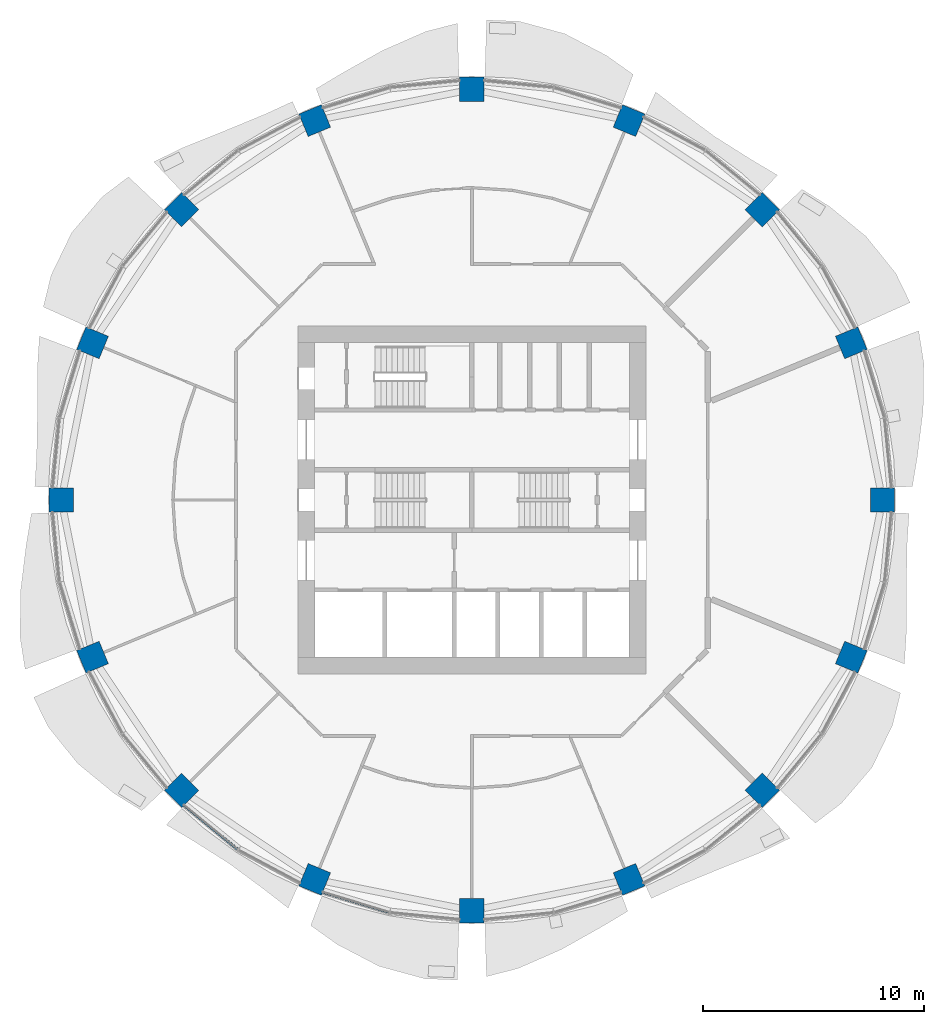
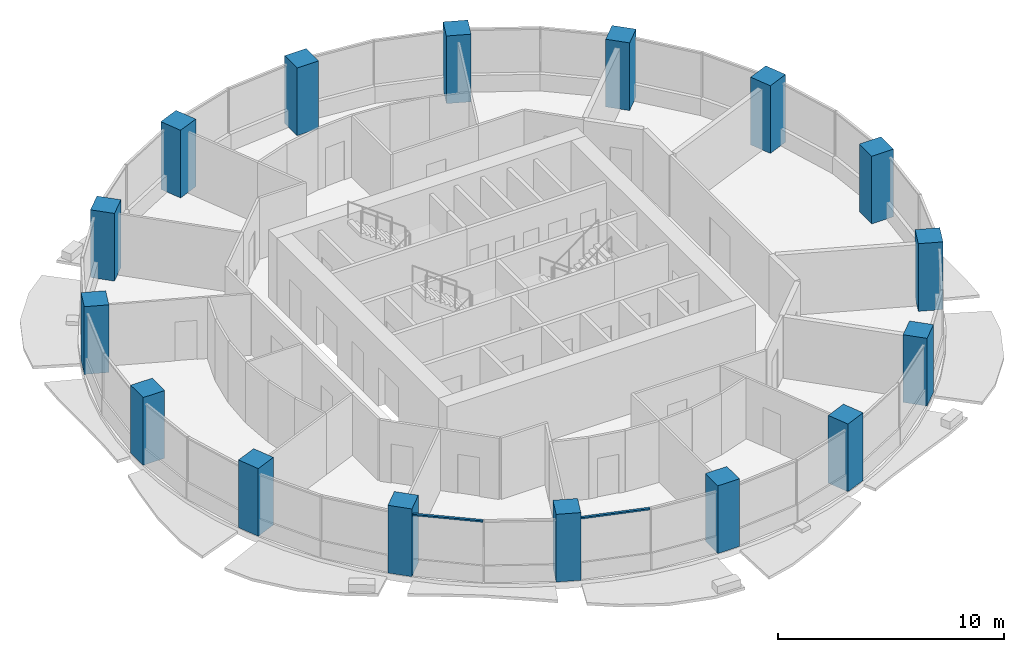
# One storey, part 1 of 14: 16 columns, 2 members, 2 elements without a shape of their own.
"""IFC4 building model written with IfcOpenShell, lengths in metres."""

from ifc_helpers import new_model, si_unit, direction, frame, origin, origin_2d, place, context, subcontext, project, spatial, rectangle, extrude, material, material_profile, profile_set, type_object, element, aggregate, save


model = new_model("IFC4")

# Units and contexts
model_context = context("Model", 3, precision=1e-05, world=origin(), true_north=direction((0.0, 1.0)))
body_context = subcontext(model_context, "Body", "Model", "MODEL_VIEW")
ifc_project = project(units=[si_unit("LENGTHUNIT", "METRE"), si_unit("AREAUNIT", "SQUARE_METRE"), si_unit("VOLUMEUNIT", "CUBIC_METRE"), si_unit("PLANEANGLEUNIT", "RADIAN"), si_unit("MASSUNIT", "GRAM", prefix="KILO")], contexts=[model_context])

# Site, building, storey
site_placement = place(None, origin())
site = spatial("IfcSite", under=ifc_project, at=site_placement, CompositionType="ELEMENT")
building_placement = place(site_placement, origin())
building = spatial("IfcBuilding", under=site, at=building_placement, Name="Polderwave Tower", CompositionType="ELEMENT")
storey_placement = place(building_placement, frame((0.0, 0.0, 109.25)))
storey = spatial("IfcBuildingStorey", under=building, at=storey_placement, Name="L28", CompositionType="ELEMENT", Elevation=109.25)

# Columns
ifc_material_1 = material(Name="Concrete C70/85", Category="concrete")
ifc_material_profile_1 = material_profile(ifc_material_1, rectangle(XDim=1.10009765625, YDim=1.10009765625, at=origin_2d()), Name="RC 1100x1100")
ifc_profile_set_1 = profile_set([ifc_material_profile_1], Name="Concrete C70/85")
column_type = type_object("IfcColumnType", Name="RC COLUMN 1100x1100 C70/85", PredefinedType="COLUMN", material=ifc_profile_set_1)
for number, where, z_axis, x_axis, name in (
    (1, (18.580078125, 0.0, 0.0), (0.0, 0.0, 1.0), (1.0, 0.0, 0.0), "Ring column 01"),
    (2, (17.165771484375, 7.1103515625, 0.0), (0.0, 0.0, 1.0), (0.923879532511, 0.382683432365, 0.0), "Ring column 02"),
    (3, (13.137939453125, 13.137939453125, 0.0), (0.0, 0.0, 1.0), (0.707106781187, 0.707106781187, 0.0), "Ring column 03"),
    (4, (7.1103515625, 17.165771484375, 0.0), (0.0, 0.0, 1.0), (0.382683432365, 0.923879532511, 0.0), "Ring column 04"),
    (5, (0.0, 18.580078125, 0.0), (0.0, 0.0, 1.0), (0.0, 1.0, 0.0), "Ring column 05"),
    (6, (-7.1103515625, 17.165771484375, 0.0), (0.0, 0.0, 1.0), (-0.382683432365, 0.923879532511, 0.0), "Ring column 06"),
    (7, (-13.137939453125, 13.137939453125, 0.0), (0.0, 0.0, 1.0), (-0.707106781187, 0.707106781187, 0.0), "Ring column 07"),
    (8, (-17.165771484375, 7.1103515625, 0.0), (0.0, 0.0, 1.0), (-0.923879532511, 0.382683432365, 0.0), "Ring column 08"),
    (9, (-18.580078125, 0.0, 0.0), (0.0, 0.0, 1.0), (-1.0, 0.0, 0.0), "Ring column 09"),
    (10, (-17.165771484375, -7.1103515625, 0.0), (0.0, 0.0, 1.0), (-0.923879532511, -0.382683432365, 0.0), "Ring column 10"),
    (11, (-13.137939453125, -13.137939453125, 0.0), (0.0, 0.0, 1.0), (-0.707106781187, -0.707106781187, 0.0), "Ring column 11"),
    (12, (-7.1103515625, -17.165771484375, 0.0), (0.0, 0.0, 1.0), (-0.382683432365, -0.923879532511, 0.0), "Ring column 12"),
    (13, (0.0, -18.580078125, 0.0), (0.0, 0.0, 1.0), (0.0, -1.0, 0.0), "Ring column 13"),
    (14, (7.1103515625, -17.165771484375, 0.0), (0.0, 0.0, 1.0), (0.382683432365, -0.923879532511, 0.0), "Ring column 14"),
    (15, (13.137939453125, -13.137939453125, 0.0), (0.0, 0.0, 1.0), (0.707106781187, -0.707106781187, 0.0), "Ring column 15"),
    (16, (17.165771484375, -7.1103515625, 0.0), (0.0, 0.0, 1.0), (0.923879532511, -0.382683432365, 0.0), "Ring column 16"),
):
    element("IfcColumn", number, at=place(storey_placement, frame(where, z_axis=z_axis, x_axis=x_axis)), inside=storey, type_object=column_type, Name=name, PredefinedType="COLUMN", context=body_context, shape_type="SweptSolid", body=[
        extrude(rectangle(XDim=1.10009765625, YDim=1.10009765625, at=origin_2d()), origin(), (0.0, 0.0, 1.0), 3.64990234375),
    ])

# Curtain wall, member
ifc_material_2 = material(Name="Aluminium 6063-T6 and glass", Category="aluminium")
curtain_wall_type = type_object("IfcCurtainWallType", Name="Growing floor ribbon glazing wall", PredefinedType="NOTDEFINED", material=ifc_material_2)
curtain_wall_1_placement = place(storey_placement, origin())
curtain_wall_1 = element("IfcCurtainWall", 17, at=curtain_wall_1_placement, inside=storey, type_object=curtain_wall_type, Name="CW2 L28 10", PredefinedType="NOTDEFINED")
ifc_material_3 = material(Name="Aluminium 6063-T6", Category="aluminium")
ifc_material_profile_2 = material_profile(ifc_material_3, rectangle(XDim=0.1201171875, YDim=0.080078125, at=origin_2d()), Name="AL 80x120")
ifc_profile_set_2 = profile_set([ifc_material_profile_2], Name="Aluminium 6063-T6")
member_type = type_object("IfcMemberType", Name="Growing floor ribbon glazing transom 80x120", PredefinedType="USERDEFINED", material=ifc_profile_set_2)
member_1_placement = place(storey_placement, frame((-13.029052734375, -13.806884765625, 3.260009765625), z_axis=(0.77293681351, -0.634483003965, 0.0), x_axis=(0.634483003965, 0.77293681351, 0.0)))
member_1 = element("IfcMember", 18, at=member_1_placement, type_object=member_type, Name="CW2 transom 1", ObjectType="TRANSOM", PredefinedType="USERDEFINED", context=body_context, shape_type="SweptSolid", body=[
    extrude(rectangle(XDim=0.1201171875, YDim=0.080078125, at=origin_2d()), origin(), (0.0, 0.0, 1.0), 3.1474609375),
])
aggregate(curtain_wall_1, [member_1])

curtain_wall_2_placement = place(storey_placement, origin())
curtain_wall_2 = element("IfcCurtainWall", 19, at=curtain_wall_2_placement, inside=storey, type_object=curtain_wall_type, Name="CW2 L28 11", PredefinedType="NOTDEFINED")
member_2_placement = place(storey_placement, frame((-6.75390625, -17.741943359375, 3.260009765625), z_axis=(0.956976770627, -0.290164540356, 0.0), x_axis=(0.290164540356, 0.956976770627, 0.0)))
member_2 = element("IfcMember", 20, at=member_2_placement, type_object=member_type, Name="CW2 transom 1", ObjectType="TRANSOM", PredefinedType="USERDEFINED", context=body_context, shape_type="SweptSolid", body=[
    extrude(rectangle(XDim=0.1201171875, YDim=0.080078125, at=origin_2d()), origin(), (0.0, 0.0, 1.0), 3.147705078125),
])
aggregate(curtain_wall_2, [member_2])

save(model, "model.ifc")
